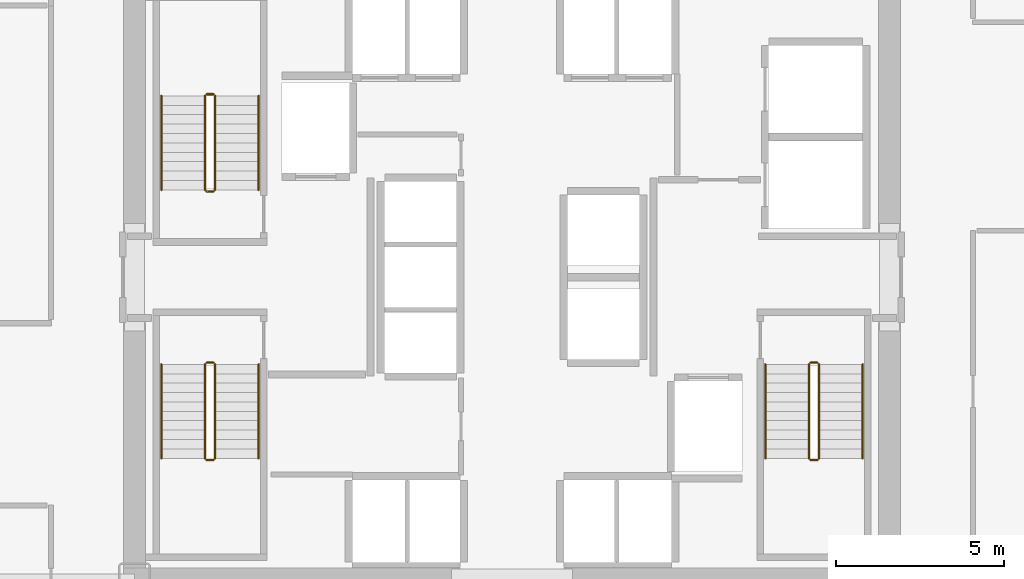
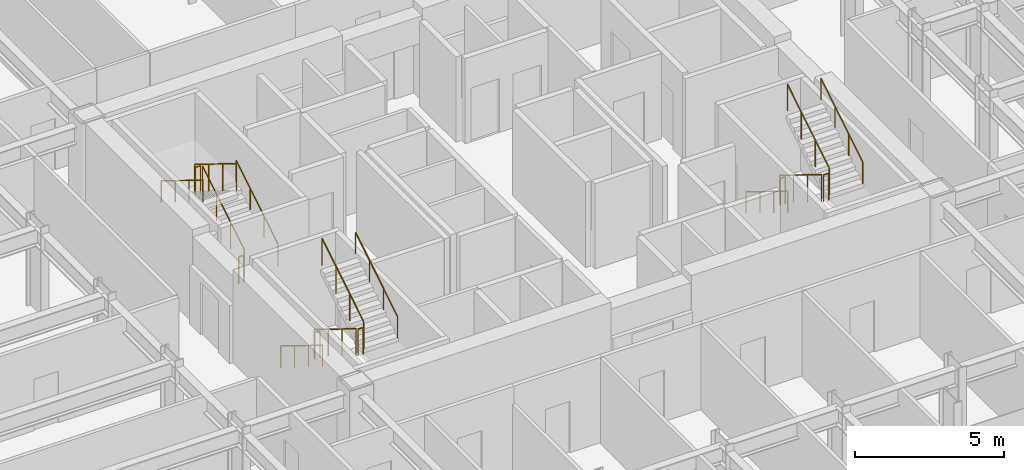
# One storey, part 26 of 26: 18 railings.
"""IFC4 building model written with IfcOpenShell, lengths in metres."""

from ifc_helpers import new_model, si_unit, direction, frame, origin, origin_2d, place, context, subcontext, project, spatial, circle, extrude, material, type_object, element, save


model = new_model("IFC4")

# Units and contexts
model_context = context("Model", 3, precision=1e-05, world=origin(), true_north=direction((0.0, 1.0)))
body_context = subcontext(model_context, "Body", "Model", "MODEL_VIEW")
ifc_project = project(units=[si_unit("LENGTHUNIT", "METRE"), si_unit("AREAUNIT", "SQUARE_METRE"), si_unit("VOLUMEUNIT", "CUBIC_METRE"), si_unit("PLANEANGLEUNIT", "RADIAN"), si_unit("MASSUNIT", "GRAM", prefix="KILO")], contexts=[model_context])

# Site, building, storey
site_placement = place(None, origin())
site = spatial("IfcSite", under=ifc_project, at=site_placement, CompositionType="ELEMENT")
building_placement = place(site_placement, origin())
building = spatial("IfcBuilding", under=site, at=building_placement, Name="Nefas-Gora Pilgrimage Tower", CompositionType="ELEMENT")
storey_placement = place(building_placement, frame((0.0, 0.0, 82.39990234375)))
storey = spatial("IfcBuildingStorey", under=building, at=storey_placement, Name="L19", CompositionType="ELEMENT", Elevation=82.39990234375)

# Railings
ifc_material_1 = material(Name="Painted galvanised steel", Category="steel")
railing_type_1 = type_object("IfcRailingType", Name="RLG-STR-GUARD-1100", PredefinedType="GUARDRAIL", material=ifc_material_1)
railing_1_placement = place(storey_placement, frame((-8.85009765625, 2.60009765625, 0.1728515625)))
element("IfcRailing", 1, at=railing_1_placement, inside=storey, type_object=railing_type_1, Name="L19 ST-01 stair guard 1", PredefinedType="GUARDRAIL", context=body_context, shape_type="SweptSolid", body=[
    extrude(circle(Radius=0.02392578125, at=origin_2d()), frame((0.0, 0.0, 1.09619140625), z_axis=(0.0, 0.851069175582, 0.525053576669), x_axis=(-1.0, 0.0, 0.0)), (0.0, 0.0, 1.0), 3.289794921875),
    extrude(circle(Radius=0.02099609375, at=origin_2d()), origin(), (0.0, 0.0, 1.0), 1.072021484375),
    extrude(circle(Radius=0.02099609375, at=origin_2d()), frame((0.0, 0.933349609375, 0.57568359375)), (0.0, 0.0, 1.0), 1.072021484375),
    extrude(circle(Radius=0.02099609375, at=origin_2d()), frame((0.0, 1.866455078125, 1.151611328125)), (0.0, 0.0, 1.0), 1.072021484375),
    extrude(circle(Radius=0.02099609375, at=origin_2d()), frame((0.0, 2.7998046875, 1.727294921875)), (0.0, 0.0, 1.0), 1.072021484375),
])
railing_2_placement = place(storey_placement, frame((-8.89990234375, 5.449951171875, 1.900146484375)))
element("IfcRailing", 2, at=railing_2_placement, inside=storey, type_object=railing_type_1, Name="L19 ST-01 stair guard 2", PredefinedType="GUARDRAIL", context=body_context, shape_type="SweptSolid", body=[
    extrude(circle(Radius=0.02392578125, at=origin_2d()), frame((0.0, 0.0, 1.09619140625), z_axis=(-1.0, 0.0, 0.0), x_axis=(0.0, -1.0, 0.0)), (0.0, 0.0, 1.0), 0.2001953125),
    extrude(circle(Radius=0.02099609375, at=origin_2d()), origin(), (0.0, 0.0, 1.0), 1.072021484375),
    extrude(circle(Radius=0.02099609375, at=origin_2d()), frame((-0.2001953125, 0.0, 0.0)), (0.0, 0.0, 1.0), 1.072021484375),
])
railing_3_placement = place(storey_placement, frame((-9.14990234375, 5.39990234375, 2.07275390625)))
element("IfcRailing", 3, at=railing_3_placement, inside=storey, type_object=railing_type_1, Name="L19 ST-01 stair guard 3", PredefinedType="GUARDRAIL", context=body_context, shape_type="SweptSolid", body=[
    extrude(circle(Radius=0.02392578125, at=origin_2d()), frame((0.0, 0.0, 1.09619140625), z_axis=(0.0, -0.851069175582, 0.525053576669), x_axis=(1.0, 0.0, 0.0)), (0.0, 0.0, 1.0), 3.289794921875),
    extrude(circle(Radius=0.02099609375, at=origin_2d()), origin(), (0.0, 0.0, 1.0), 1.072021484375),
    extrude(circle(Radius=0.02099609375, at=origin_2d()), frame((0.0, -0.933349609375, 0.57568359375)), (0.0, 0.0, 1.0), 1.072021484375),
    extrude(circle(Radius=0.02099609375, at=origin_2d()), frame((0.0, -1.866455078125, 1.151611328125)), (0.0, 0.0, 1.0), 1.072021484375),
    extrude(circle(Radius=0.02099609375, at=origin_2d()), frame((0.0, -2.7998046875, 1.727294921875)), (0.0, 0.0, 1.0), 1.072021484375),
])
railing_4_placement = place(storey_placement, frame((-8.89990234375, 2.550048828125, 0.0)))
element("IfcRailing", 4, at=railing_4_placement, inside=storey, type_object=railing_type_1, Name="L19 ST-01 stair guard 4", PredefinedType="GUARDRAIL", context=body_context, shape_type="SweptSolid", body=[
    extrude(circle(Radius=0.02392578125, at=origin_2d()), frame((0.0, 0.0, 1.09619140625), z_axis=(-1.0, 0.0, 0.0), x_axis=(0.0, -1.0, 0.0)), (0.0, 0.0, 1.0), 0.2001953125),
    extrude(circle(Radius=0.02099609375, at=origin_2d()), origin(), (0.0, 0.0, 1.0), 1.072021484375),
    extrude(circle(Radius=0.02099609375, at=origin_2d()), frame((-0.2001953125, 0.0, 0.0)), (0.0, 0.0, 1.0), 1.072021484375),
])
railing_5_placement = place(storey_placement, frame((8.85009765625, -2.60009765625, 0.1728515625)))
element("IfcRailing", 5, at=railing_5_placement, inside=storey, type_object=railing_type_1, Name="L19 ST-02 stair guard 1", PredefinedType="GUARDRAIL", context=body_context, shape_type="SweptSolid", body=[
    extrude(circle(Radius=0.02392578125, at=origin_2d()), frame((0.0, 0.0, 1.09619140625), z_axis=(0.0, -0.851069175582, 0.525053576669), x_axis=(1.0, 0.0, 0.0)), (0.0, 0.0, 1.0), 3.289794921875),
    extrude(circle(Radius=0.02099609375, at=origin_2d()), origin(), (0.0, 0.0, 1.0), 1.072021484375),
    extrude(circle(Radius=0.02099609375, at=origin_2d()), frame((0.0, -0.933349609375, 0.57568359375)), (0.0, 0.0, 1.0), 1.072021484375),
    extrude(circle(Radius=0.02099609375, at=origin_2d()), frame((0.0, -1.866455078125, 1.151611328125)), (0.0, 0.0, 1.0), 1.072021484375),
    extrude(circle(Radius=0.02099609375, at=origin_2d()), frame((0.0, -2.7998046875, 1.727294921875)), (0.0, 0.0, 1.0), 1.072021484375),
])
railing_6_placement = place(storey_placement, frame((8.89990234375, -5.449951171875, 1.900146484375)))
element("IfcRailing", 6, at=railing_6_placement, inside=storey, type_object=railing_type_1, Name="L19 ST-02 stair guard 2", PredefinedType="GUARDRAIL", context=body_context, shape_type="SweptSolid", body=[
    extrude(circle(Radius=0.02392578125, at=origin_2d()), frame((0.0, 0.0, 1.09619140625), z_axis=(1.0, 0.0, 0.0), x_axis=(0.0, 1.0, 0.0)), (0.0, 0.0, 1.0), 0.2001953125),
    extrude(circle(Radius=0.02099609375, at=origin_2d()), origin(), (0.0, 0.0, 1.0), 1.072021484375),
    extrude(circle(Radius=0.02099609375, at=origin_2d()), frame((0.2001953125, 0.0, 0.0)), (0.0, 0.0, 1.0), 1.072021484375),
])
railing_7_placement = place(storey_placement, frame((9.14990234375, -5.39990234375, 2.07275390625)))
element("IfcRailing", 7, at=railing_7_placement, inside=storey, type_object=railing_type_1, Name="L19 ST-02 stair guard 3", PredefinedType="GUARDRAIL", context=body_context, shape_type="SweptSolid", body=[
    extrude(circle(Radius=0.02392578125, at=origin_2d()), frame((0.0, 0.0, 1.09619140625), z_axis=(0.0, 0.851069175582, 0.525053576669), x_axis=(-1.0, 0.0, 0.0)), (0.0, 0.0, 1.0), 3.289794921875),
    extrude(circle(Radius=0.02099609375, at=origin_2d()), origin(), (0.0, 0.0, 1.0), 1.072021484375),
    extrude(circle(Radius=0.02099609375, at=origin_2d()), frame((0.0, 0.933349609375, 0.57568359375)), (0.0, 0.0, 1.0), 1.072021484375),
    extrude(circle(Radius=0.02099609375, at=origin_2d()), frame((0.0, 1.866455078125, 1.151611328125)), (0.0, 0.0, 1.0), 1.072021484375),
    extrude(circle(Radius=0.02099609375, at=origin_2d()), frame((0.0, 2.7998046875, 1.727294921875)), (0.0, 0.0, 1.0), 1.072021484375),
])
railing_8_placement = place(storey_placement, frame((8.89990234375, -2.550048828125, 0.0)))
element("IfcRailing", 8, at=railing_8_placement, inside=storey, type_object=railing_type_1, Name="L19 ST-02 stair guard 4", PredefinedType="GUARDRAIL", context=body_context, shape_type="SweptSolid", body=[
    extrude(circle(Radius=0.02392578125, at=origin_2d()), frame((0.0, 0.0, 1.09619140625), z_axis=(1.0, 0.0, 0.0), x_axis=(0.0, 1.0, 0.0)), (0.0, 0.0, 1.0), 0.2001953125),
    extrude(circle(Radius=0.02099609375, at=origin_2d()), origin(), (0.0, 0.0, 1.0), 1.072021484375),
    extrude(circle(Radius=0.02099609375, at=origin_2d()), frame((0.2001953125, 0.0, 0.0)), (0.0, 0.0, 1.0), 1.072021484375),
])
railing_9_placement = place(storey_placement, frame((-9.14990234375, -2.60009765625, 0.1728515625)))
element("IfcRailing", 9, at=railing_9_placement, inside=storey, type_object=railing_type_1, Name="L19 ST-03 stair guard 1", PredefinedType="GUARDRAIL", context=body_context, shape_type="SweptSolid", body=[
    extrude(circle(Radius=0.02392578125, at=origin_2d()), frame((0.0, 0.0, 1.09619140625), z_axis=(0.0, -0.851069175582, 0.525053576669), x_axis=(1.0, 0.0, 0.0)), (0.0, 0.0, 1.0), 3.289794921875),
    extrude(circle(Radius=0.02099609375, at=origin_2d()), origin(), (0.0, 0.0, 1.0), 1.072021484375),
    extrude(circle(Radius=0.02099609375, at=origin_2d()), frame((0.0, -0.933349609375, 0.57568359375)), (0.0, 0.0, 1.0), 1.072021484375),
    extrude(circle(Radius=0.02099609375, at=origin_2d()), frame((0.0, -1.866455078125, 1.151611328125)), (0.0, 0.0, 1.0), 1.072021484375),
    extrude(circle(Radius=0.02099609375, at=origin_2d()), frame((0.0, -2.7998046875, 1.727294921875)), (0.0, 0.0, 1.0), 1.072021484375),
])
railing_10_placement = place(storey_placement, frame((-9.10009765625, -5.449951171875, 1.900146484375)))
element("IfcRailing", 10, at=railing_10_placement, inside=storey, type_object=railing_type_1, Name="L19 ST-03 stair guard 2", PredefinedType="GUARDRAIL", context=body_context, shape_type="SweptSolid", body=[
    extrude(circle(Radius=0.02392578125, at=origin_2d()), frame((0.0, 0.0, 1.09619140625), z_axis=(1.0, 0.0, 0.0), x_axis=(0.0, 1.0, 0.0)), (0.0, 0.0, 1.0), 0.2001953125),
    extrude(circle(Radius=0.02099609375, at=origin_2d()), origin(), (0.0, 0.0, 1.0), 1.072021484375),
    extrude(circle(Radius=0.02099609375, at=origin_2d()), frame((0.2001953125, 0.0, 0.0)), (0.0, 0.0, 1.0), 1.072021484375),
])
railing_11_placement = place(storey_placement, frame((-8.85009765625, -5.39990234375, 2.07275390625)))
element("IfcRailing", 11, at=railing_11_placement, inside=storey, type_object=railing_type_1, Name="L19 ST-03 stair guard 3", PredefinedType="GUARDRAIL", context=body_context, shape_type="SweptSolid", body=[
    extrude(circle(Radius=0.02392578125, at=origin_2d()), frame((0.0, 0.0, 1.09619140625), z_axis=(0.0, 0.851069175582, 0.525053576669), x_axis=(-1.0, 0.0, 0.0)), (0.0, 0.0, 1.0), 3.289794921875),
    extrude(circle(Radius=0.02099609375, at=origin_2d()), origin(), (0.0, 0.0, 1.0), 1.072021484375),
    extrude(circle(Radius=0.02099609375, at=origin_2d()), frame((0.0, 0.933349609375, 0.57568359375)), (0.0, 0.0, 1.0), 1.072021484375),
    extrude(circle(Radius=0.02099609375, at=origin_2d()), frame((0.0, 1.866455078125, 1.151611328125)), (0.0, 0.0, 1.0), 1.072021484375),
    extrude(circle(Radius=0.02099609375, at=origin_2d()), frame((0.0, 2.7998046875, 1.727294921875)), (0.0, 0.0, 1.0), 1.072021484375),
])
railing_12_placement = place(storey_placement, frame((-9.10009765625, -2.550048828125, 0.0)))
element("IfcRailing", 12, at=railing_12_placement, inside=storey, type_object=railing_type_1, Name="L19 ST-03 stair guard 4", PredefinedType="GUARDRAIL", context=body_context, shape_type="SweptSolid", body=[
    extrude(circle(Radius=0.02392578125, at=origin_2d()), frame((0.0, 0.0, 1.09619140625), z_axis=(1.0, 0.0, 0.0), x_axis=(0.0, 1.0, 0.0)), (0.0, 0.0, 1.0), 0.2001953125),
    extrude(circle(Radius=0.02099609375, at=origin_2d()), origin(), (0.0, 0.0, 1.0), 1.072021484375),
    extrude(circle(Radius=0.02099609375, at=origin_2d()), frame((0.2001953125, 0.0, 0.0)), (0.0, 0.0, 1.0), 1.072021484375),
])
ifc_material_2 = material(Name="Brushed stainless steel", Category="steel")
railing_type_2 = type_object("IfcRailingType", Name="RLG-STR-HAND-900", PredefinedType="HANDRAIL", material=ifc_material_2)
railing_13_placement = place(storey_placement, frame((-7.550048828125, 2.60009765625, 0.1728515625)))
element("IfcRailing", 13, at=railing_13_placement, inside=storey, type_object=railing_type_2, Name="L19 ST-01 stair handrail 1", PredefinedType="HANDRAIL", context=body_context, shape_type="SweptSolid", body=[
    extrude(circle(Radius=0.02392578125, at=origin_2d()), frame((0.0, 0.0, 0.8759765625), z_axis=(0.0, 0.851069175582, 0.525053576669), x_axis=(-1.0, 0.0, 0.0)), (0.0, 0.0, 1.0), 3.289794921875),
    extrude(circle(Radius=0.02099609375, at=origin_2d()), origin(), (0.0, 0.0, 1.0), 0.851806640625),
    extrude(circle(Radius=0.02099609375, at=origin_2d()), frame((0.0, 0.933349609375, 0.57568359375)), (0.0, 0.0, 1.0), 0.851806640625),
    extrude(circle(Radius=0.02099609375, at=origin_2d()), frame((0.0, 1.866455078125, 1.151611328125)), (0.0, 0.0, 1.0), 0.851806640625),
    extrude(circle(Radius=0.02099609375, at=origin_2d()), frame((0.0, 2.7998046875, 1.727294921875)), (0.0, 0.0, 1.0), 0.851806640625),
])
for number, where, name in (
    (14, (-10.449951171875, 5.39990234375, 2.07275390625), "L19 ST-01 stair handrail 2"),
    (15, (7.550048828125, -2.60009765625, 0.1728515625), "L19 ST-02 stair handrail 1"),
):
    element("IfcRailing", number, at=place(storey_placement, frame(where)), inside=storey, type_object=railing_type_2, Name=name, PredefinedType="HANDRAIL", context=body_context, shape_type="SweptSolid", body=[
        extrude(circle(Radius=0.02392578125, at=origin_2d()), frame((0.0, 0.0, 0.8759765625), z_axis=(0.0, -0.851069175582, 0.525053576669), x_axis=(1.0, 0.0, 0.0)), (0.0, 0.0, 1.0), 3.289794921875),
        extrude(circle(Radius=0.02099609375, at=origin_2d()), origin(), (0.0, 0.0, 1.0), 0.851806640625),
        extrude(circle(Radius=0.02099609375, at=origin_2d()), frame((0.0, -0.933349609375, 0.57568359375)), (0.0, 0.0, 1.0), 0.851806640625),
        extrude(circle(Radius=0.02099609375, at=origin_2d()), frame((0.0, -1.866455078125, 1.151611328125)), (0.0, 0.0, 1.0), 0.851806640625),
        extrude(circle(Radius=0.02099609375, at=origin_2d()), frame((0.0, -2.7998046875, 1.727294921875)), (0.0, 0.0, 1.0), 0.851806640625),
    ])
railing_14_placement = place(storey_placement, frame((10.449951171875, -5.39990234375, 2.07275390625)))
element("IfcRailing", 16, at=railing_14_placement, inside=storey, type_object=railing_type_2, Name="L19 ST-02 stair handrail 2", PredefinedType="HANDRAIL", context=body_context, shape_type="SweptSolid", body=[
    extrude(circle(Radius=0.02392578125, at=origin_2d()), frame((0.0, 0.0, 0.8759765625), z_axis=(0.0, 0.851069175582, 0.525053576669), x_axis=(-1.0, 0.0, 0.0)), (0.0, 0.0, 1.0), 3.289794921875),
    extrude(circle(Radius=0.02099609375, at=origin_2d()), origin(), (0.0, 0.0, 1.0), 0.851806640625),
    extrude(circle(Radius=0.02099609375, at=origin_2d()), frame((0.0, 0.933349609375, 0.57568359375)), (0.0, 0.0, 1.0), 0.851806640625),
    extrude(circle(Radius=0.02099609375, at=origin_2d()), frame((0.0, 1.866455078125, 1.151611328125)), (0.0, 0.0, 1.0), 0.851806640625),
    extrude(circle(Radius=0.02099609375, at=origin_2d()), frame((0.0, 2.7998046875, 1.727294921875)), (0.0, 0.0, 1.0), 0.851806640625),
])
railing_15_placement = place(storey_placement, frame((-10.449951171875, -2.60009765625, 0.1728515625)))
element("IfcRailing", 17, at=railing_15_placement, inside=storey, type_object=railing_type_2, Name="L19 ST-03 stair handrail 1", PredefinedType="HANDRAIL", context=body_context, shape_type="SweptSolid", body=[
    extrude(circle(Radius=0.02392578125, at=origin_2d()), frame((0.0, 0.0, 0.8759765625), z_axis=(0.0, -0.851069175582, 0.525053576669), x_axis=(1.0, 0.0, 0.0)), (0.0, 0.0, 1.0), 3.289794921875),
    extrude(circle(Radius=0.02099609375, at=origin_2d()), origin(), (0.0, 0.0, 1.0), 0.851806640625),
    extrude(circle(Radius=0.02099609375, at=origin_2d()), frame((0.0, -0.933349609375, 0.57568359375)), (0.0, 0.0, 1.0), 0.851806640625),
    extrude(circle(Radius=0.02099609375, at=origin_2d()), frame((0.0, -1.866455078125, 1.151611328125)), (0.0, 0.0, 1.0), 0.851806640625),
    extrude(circle(Radius=0.02099609375, at=origin_2d()), frame((0.0, -2.7998046875, 1.727294921875)), (0.0, 0.0, 1.0), 0.851806640625),
])
railing_16_placement = place(storey_placement, frame((-7.550048828125, -5.39990234375, 2.07275390625)))
element("IfcRailing", 18, at=railing_16_placement, inside=storey, type_object=railing_type_2, Name="L19 ST-03 stair handrail 2", PredefinedType="HANDRAIL", context=body_context, shape_type="SweptSolid", body=[
    extrude(circle(Radius=0.02392578125, at=origin_2d()), frame((0.0, 0.0, 0.8759765625), z_axis=(0.0, 0.851069175582, 0.525053576669), x_axis=(-1.0, 0.0, 0.0)), (0.0, 0.0, 1.0), 3.289794921875),
    extrude(circle(Radius=0.02099609375, at=origin_2d()), origin(), (0.0, 0.0, 1.0), 0.851806640625),
    extrude(circle(Radius=0.02099609375, at=origin_2d()), frame((0.0, 0.933349609375, 0.57568359375)), (0.0, 0.0, 1.0), 0.851806640625),
    extrude(circle(Radius=0.02099609375, at=origin_2d()), frame((0.0, 1.866455078125, 1.151611328125)), (0.0, 0.0, 1.0), 0.851806640625),
    extrude(circle(Radius=0.02099609375, at=origin_2d()), frame((0.0, 2.7998046875, 1.727294921875)), (0.0, 0.0, 1.0), 0.851806640625),
])

save(model, "model.ifc")
